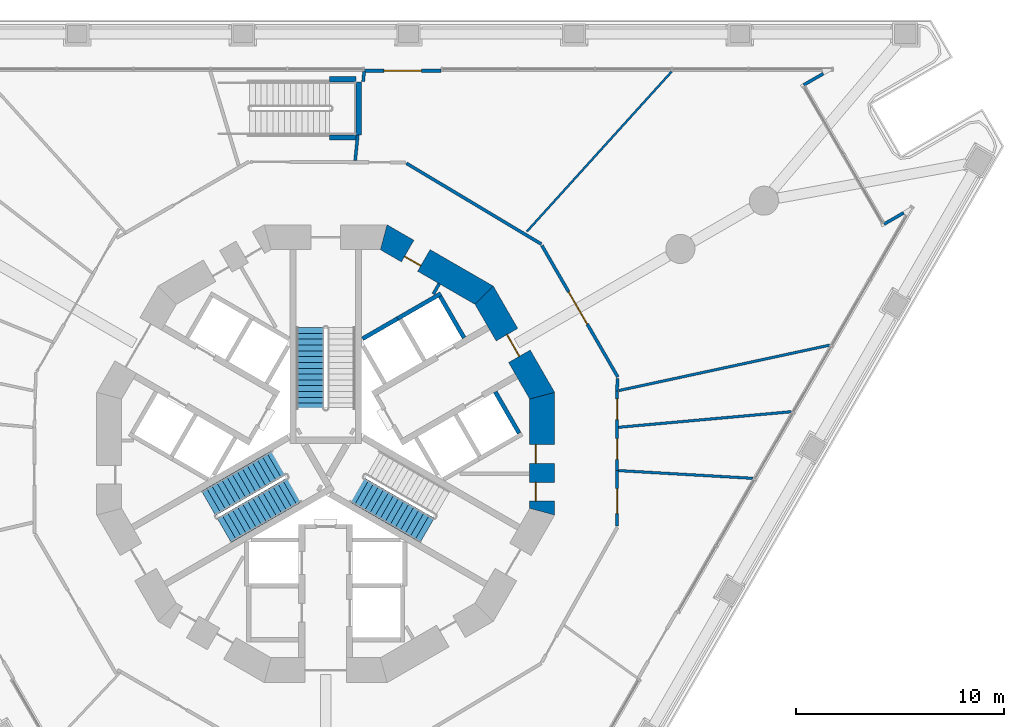
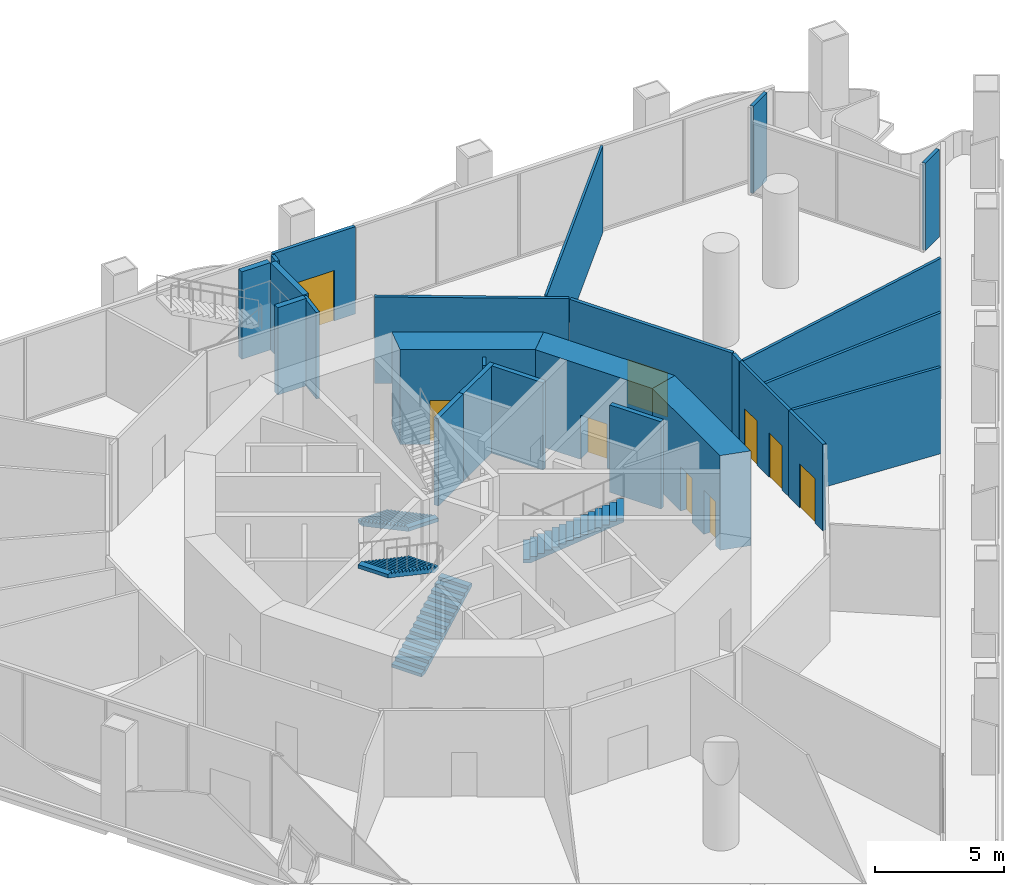
# One storey, part 13 of 22: 25 walls, 9 doors, 4 stair flights, 9 openings, 3 elements without a shape of their own.
"""IFC4 building model written with IfcOpenShell, lengths in metres."""

from ifc_helpers import new_model, si_unit, direction, frame, frame_2d, origin, place, context, subcontext, project, spatial, polyline, rectangle, outline, extrude, material, layer, layer_set, type_object, element, fill, aggregate, save


model = new_model("IFC4")

# Units and contexts
model_context = context("Model", 3, precision=1e-05, world=origin(), true_north=direction((0.0, 1.0)))
body_context = subcontext(model_context, "Body", "Model", "MODEL_VIEW")
ifc_project = project(units=[si_unit("LENGTHUNIT", "METRE"), si_unit("AREAUNIT", "SQUARE_METRE"), si_unit("VOLUMEUNIT", "CUBIC_METRE"), si_unit("PLANEANGLEUNIT", "RADIAN"), si_unit("MASSUNIT", "GRAM", prefix="KILO")], contexts=[model_context])

# Site, building, storey
site_placement = place(None, origin())
site = spatial("IfcSite", under=ifc_project, at=site_placement, CompositionType="ELEMENT")
building_placement = place(site_placement, origin())
building = spatial("IfcBuilding", under=site, at=building_placement, Name="Trine Commons Tower", CompositionType="ELEMENT")
storey_placement = place(building_placement, frame((0.0, 0.0, 22.5)))
storey = spatial("IfcBuildingStorey", under=building, at=storey_placement, Name="L04", CompositionType="ELEMENT", Elevation=22.5)

# Walls
ifc_material_1 = material(Name="Plasterboard on steel stud", Category="steel")
ifc_layer_1 = layer(ifc_material_1, 0.14990234375)
ifc_layer_set_1 = layer_set([ifc_layer_1], Name="Plasterboard on steel stud")
wall_type_1 = type_object("IfcWallType", Name="Compartment wall 150 mm, EI 60", PredefinedType="PARTITIONING", material=ifc_layer_set_1)
wall_1_placement = place(storey_placement, frame((81.418701171875, 76.60400390625, 0.0), z_axis=(0.0, 0.0, 1.0), x_axis=(0.100074962967, 0.994979900193, 0.0)))
element("IfcWall", 1, at=wall_1_placement, inside=storey, type_object=wall_type_1, Name="Partition P4023", PredefinedType="PARTITIONING", context=body_context, shape_type="SweptSolid", body=[
    extrude(rectangle(XDim=1.22705078125, YDim=0.14990234375, at=frame_2d((0.613525390625, 0.0))), origin(), (0.0, 0.0, 1.0), 4.10009765625),
])
wall_2_placement = place(storey_placement, frame((81.800048828125, 80.39501953125, 0.0), z_axis=(0.0, 0.0, 1.0), x_axis=(0.099749392044, 0.995012592276, 0.0)))
element("IfcWall", 2, at=wall_2_placement, inside=storey, type_object=wall_type_1, Name="Partition P4024", PredefinedType="PARTITIONING", context=body_context, shape_type="SweptSolid", body=[
    extrude(rectangle(XDim=0.491943359375, YDim=0.14990234375, at=frame_2d((0.24609375, 0.0))), origin(), (0.0, 0.0, 1.0), 4.10009765625),
])
wall_3_placement = place(storey_placement, frame((83.883056640625, 76.466552734375, 0.0), z_axis=(0.0, 0.0, 1.0), x_axis=(0.857959606998, -0.513717152488, 0.0)))
element("IfcWall", 3, at=wall_3_placement, inside=storey, type_object=wall_type_1, Name="Partition P4027", PredefinedType="PARTITIONING", context=body_context, shape_type="SweptSolid", body=[
    extrude(rectangle(XDim=7.564453125, YDim=0.14990234375, at=frame_2d((3.7822265625, 0.0))), origin(), (0.0, 0.0, 1.0), 4.10009765625),
])

# Wall, opening, door
wall_4_placement = place(storey_placement, frame((94.049072265625, 66.189453125, 0.0), z_axis=(0.0, 0.0, 1.0), x_axis=(-0.500000231294, 0.866025270247, 0.0)))
wall_4 = element("IfcWall", 4, at=wall_4_placement, inside=storey, type_object=wall_type_1, Name="Partition P4031", PredefinedType="PARTITIONING", context=body_context, shape_type="SweptSolid", body=[
    extrude(rectangle(XDim=7.3037109375, YDim=0.14990234375, at=frame_2d((3.65185546875, 0.0))), origin(), (0.0, 0.0, 1.0), 4.10009765625),
])
opening_1_placement = place(wall_4_placement, frame((2.929443359375, 0.0, 0.0)))
opening_1 = element("IfcOpeningElement", 5, at=opening_1_placement, cuts=wall_4, Name="Opening D-P414", PredefinedType="OPENING", context=body_context, shape_type="SweptSolid", body=[
    extrude(rectangle(XDim=1.800048828125, YDim=2.10009765625, at=frame_2d((0.89990234375, 1.050048828125))), frame((0.0, 0.0849609375, 0.0), z_axis=(0.0, -1.0, 0.0), x_axis=(1.0, 0.0, 0.0)), (0.0, 0.0, 1.0), 0.169921875),
])
ifc_material_2 = material(Name="Timber fire door set", Category="wood")
door_type_1 = type_object("IfcDoorType", Name="Double swing door 1800x2100, FD30S", OperationType="DOUBLE_DOOR_DOUBLE_SWING", PredefinedType="DOOR", material=ifc_material_2)
door_1_placement = place(opening_1_placement, origin())
door_1 = element("IfcDoor", 6, at=door_1_placement, inside=storey, type_object=door_type_1, Name="Door D-P414", OperationType="DOUBLE_DOOR_DOUBLE_SWING", OverallHeight=2.10009765625, OverallWidth=1.800048828125, PredefinedType="DOOR", context=body_context, shape_type="SweptSolid", body=[
    extrude(rectangle(XDim=1.800048828125, YDim=2.10009765625, at=frame_2d((0.89990234375, 1.050048828125))), frame((0.0, 0.02490234375, 0.0), z_axis=(0.0, -1.0, 0.0), x_axis=(1.0, 0.0, 0.0)), (0.0, 0.0, 1.0), 0.050048828125),
])
fill(opening_1, door_1)

wall_5_placement = place(storey_placement, frame((94.011474609375, 61.69287109375, 0.0), z_axis=(0.0, 0.0, 1.0), x_axis=(0.0, -1.0, 0.0)))
wall_5 = element("IfcWall", 7, at=wall_5_placement, inside=storey, type_object=wall_type_1, Name="Partition P4033", PredefinedType="PARTITIONING", context=body_context, shape_type="SweptSolid", body=[
    extrude(rectangle(XDim=2.667236328125, YDim=0.14990234375, at=frame_2d((1.33349609375, 0.0))), origin(), (0.0, 0.0, 1.0), 4.10009765625),
])
opening_2_placement = place(wall_5_placement, frame((0.87353515625, 0.0, 0.0)))
opening_2 = element("IfcOpeningElement", 8, at=opening_2_placement, cuts=wall_5, Name="Opening D-P415", PredefinedType="OPENING", context=body_context, shape_type="SweptSolid", body=[
    extrude(rectangle(XDim=1.199951171875, YDim=2.10009765625, at=frame_2d((0.60009765625, 1.050048828125))), frame((0.0, 0.0849609375, 0.0), z_axis=(0.0, -1.0, 0.0), x_axis=(1.0, 0.0, 0.0)), (0.0, 0.0, 1.0), 0.169921875),
])
door_type_2 = type_object("IfcDoorType", Name="Single swing door 1200x2100, FD30S", OperationType="SINGLE_SWING_LEFT", PredefinedType="DOOR", material=ifc_material_2)
door_2_placement = place(opening_2_placement, origin())
door_2 = element("IfcDoor", 9, at=door_2_placement, inside=storey, type_object=door_type_2, Name="Door D-P415", OperationType="SINGLE_SWING_LEFT", OverallHeight=2.10009765625, OverallWidth=1.199951171875, PredefinedType="DOOR", context=body_context, shape_type="SweptSolid", body=[
    extrude(rectangle(XDim=1.199951171875, YDim=2.10009765625, at=frame_2d((0.60009765625, 1.050048828125))), frame((0.0, 0.02490234375, 0.0), z_axis=(0.0, -1.0, 0.0), x_axis=(1.0, 0.0, 0.0)), (0.0, 0.0, 1.0), 0.050048828125),
])
fill(opening_2, door_2)

# Walls
wall_6_placement = place(storey_placement, frame((94.011474609375, 65.518310546875, 0.0), z_axis=(0.0, 0.0, 1.0), x_axis=(0.042540530373, 0.999094741892, 0.0)))
element("IfcWall", 10, at=wall_6_placement, inside=storey, type_object=wall_type_1, Name="Partition P4037", PredefinedType="PARTITIONING", context=body_context, shape_type="SweptSolid", body=[
    extrude(rectangle(XDim=0.6025390625, YDim=0.14990234375, at=frame_2d((0.30126953125, 0.0))), origin(), (0.0, 0.0, 1.0), 4.10009765625),
])
ifc_material_3 = material(Name="Plasterboard partition on steel studs", Category="steel")
ifc_layer_2 = layer(ifc_material_3, 0.14990234375)
ifc_layer_set_2 = layer_set([ifc_layer_2], Name="Plasterboard partition on steel studs")
wall_type_2 = type_object("IfcWallType", Name="Core room partition 150 mm, EI 60", PredefinedType="PARTITIONING", material=ifc_layer_set_2)
wall_7_placement = place(storey_placement, frame((85.4609375, 70.676025390625, 0.0), z_axis=(0.0, 0.0, 1.0), x_axis=(-0.500042804318, -0.866000689289, 0.0)))
element("IfcWall", 11, at=wall_7_placement, inside=storey, type_object=wall_type_2, Name="Core room partition L04", PredefinedType="PARTITIONING", context=body_context, shape_type="SweptSolid", body=[
    extrude(rectangle(XDim=0.57177734375, YDim=0.14990234375, at=frame_2d((0.285888671875, 0.0))), origin(), (0.0, 0.0, 1.0), 4.14990234375),
])

# Wall, opening, door
ifc_material_4 = material(Name="Aluminium-framed insulated wall panel", Category="aluminium")
ifc_layer_3 = layer(ifc_material_4, 0.14990234375)
ifc_layer_set_3 = layer_set([ifc_layer_3], Name="Aluminium-framed insulated wall panel")
wall_type_3 = type_object("IfcWallType", Name="Glazed entrance wall 150, EI 60", PredefinedType="SOLIDWALL", material=ifc_layer_set_3)
wall_8_placement = place(storey_placement, frame((81.84912109375, 80.919677734375, 0.0), z_axis=(0.0, 0.0, 1.0), x_axis=(1.0, 0.0, 0.0)))
wall_8 = element("IfcWall", 12, at=wall_8_placement, inside=storey, type_object=wall_type_3, Name="Glazed entrance wall L04 F1 8", PredefinedType="SOLIDWALL", context=body_context, shape_type="SweptSolid", body=[
    extrude(rectangle(XDim=3.698974609375, YDim=0.14990234375, at=frame_2d((1.849609375, 0.0))), origin(), (0.0, 0.0, 1.0), 4.14990234375),
])
opening_3_placement = place(wall_8_placement, frame((0.949462890625, 0.0, 0.0)))
opening_3 = element("IfcOpeningElement", 13, at=opening_3_placement, cuts=wall_8, Name="Opening SD-L04-F1-08", PredefinedType="OPENING", context=body_context, shape_type="SweptSolid", body=[
    extrude(rectangle(XDim=1.800048828125, YDim=2.39990234375, at=frame_2d((0.89990234375, 1.199951171875))), frame((0.0, 0.0849609375, 0.0), z_axis=(0.0, -1.0, 0.0), x_axis=(1.0, 0.0, 0.0)), (0.0, 0.0, 1.0), 0.169921875),
])
ifc_material_5 = material(Name="Anodised aluminium frame with double glazing", Category="aluminium")
door_type_3 = type_object("IfcDoorType", Name="Sliding double door 1800x2400", OperationType="DOUBLE_DOOR_SLIDING", PredefinedType="DOOR", material=ifc_material_5)
door_3_placement = place(opening_3_placement, origin())
door_3 = element("IfcDoor", 14, at=door_3_placement, inside=storey, type_object=door_type_3, Name="Loggia door L04 F1 8", OperationType="DOUBLE_DOOR_SLIDING", OverallHeight=2.39990234375, OverallWidth=1.800048828125, PredefinedType="DOOR", context=body_context, shape_type="SweptSolid", body=[
    extrude(rectangle(XDim=1.800048828125, YDim=2.39990234375, at=frame_2d((0.89990234375, 1.199951171875))), frame((0.0, 0.02490234375, 0.0), z_axis=(0.0, -1.0, 0.0), x_axis=(1.0, 0.0, 0.0)), (0.0, 0.0, 1.0), 0.050048828125),
])
fill(opening_3, door_3)

# Walls
ifc_layer_4 = layer(ifc_material_4, 0.14990234375)
ifc_layer_set_4 = layer_set([ifc_layer_4], Name="Aluminium-framed insulated wall panel")
wall_type_4 = type_object("IfcWallType", Name="Glazed frame wall 150, EI 60", PredefinedType="SOLIDWALL", material=ifc_layer_set_4)
wall_9_placement = place(storey_placement, frame((104.060546875, 80.854248046875, 0.0), z_axis=(0.0, 0.0, 1.0), x_axis=(-0.86606770004, -0.49992673358, 0.0)))
element("IfcWall", 15, at=wall_9_placement, inside=storey, type_object=wall_type_4, Name="Glazed frame wall L04 R5", PredefinedType="SOLIDWALL", context=body_context, shape_type="SweptSolid", body=[
    extrude(outline(polyline([(0.1494140625, 0.074951171875), (0.1494140625, -0.074951171875), (1.235107421875, -0.074951171875), (1.235107421875, 0.074951171875), (0.1494140625, 0.074951171875)])), origin(), (0.0, 0.0, 1.0), 4.14990234375),
])
wall_10_placement = place(storey_placement, frame((106.7607421875, 73.4873046875, 0.0), z_axis=(0.0, 0.0, 1.0), x_axis=(0.865989100438, 0.500062873969, 0.0)))
element("IfcWall", 16, at=wall_10_placement, inside=storey, type_object=wall_type_4, Name="Glazed frame wall L04 R7", PredefinedType="SOLIDWALL", context=body_context, shape_type="SweptSolid", body=[
    extrude(outline(polyline([(0.110107421875, 0.074951171875), (0.110107421875, -0.074951171875), (1.19580078125, -0.074951171875), (1.19580078125, 0.074951171875), (0.110107421875, 0.074951171875)])), origin(), (0.0, 0.0, 1.0), 4.14990234375),
])
ifc_layer_5 = layer(ifc_material_1, 0.10009765625)
ifc_layer_set_5 = layer_set([ifc_layer_5], Name="Plasterboard on steel stud")
wall_type_5 = type_object("IfcWallType", Name="Partition wall 100 mm stud, not rated", PredefinedType="PARTITIONING", material=ifc_layer_set_5)
wall_11_placement = place(storey_placement, frame((89.678466796875, 73.190185546875, 0.0), z_axis=(0.0, 0.0, 1.0), x_axis=(0.671165805165, 0.741307265563, 0.0)))
element("IfcWall", 17, at=wall_11_placement, inside=storey, type_object=wall_type_5, Name="Partition P4029", PredefinedType="PARTITIONING", context=body_context, shape_type="SweptSolid", body=[
    extrude(rectangle(XDim=10.37939453125, YDim=0.10009765625, at=frame_2d((5.189697265625, 0.0))), origin(), (0.0, 0.0, 1.0), 4.10009765625),
])

# Wall, openings, doors
ifc_material_6 = material(Name="Concrete C80/95", Category="concrete")
ifc_layer_6 = layer(ifc_material_6, 1.199951171875)
ifc_layer_set_6 = layer_set([ifc_layer_6], Name="Concrete C80/95")
wall_type_6 = type_object("IfcWallType", Name="RC shear wall 1200 mm, C80/95", PredefinedType="SHEAR", material=ifc_layer_set_6)
wall_12_placement = place(storey_placement, frame((90.41162109375, 59.549560546875, 0.0), z_axis=(0.0, 0.0, 1.0), x_axis=(0.0, 1.0, 0.0)))
wall_12 = element("IfcWall", 18, at=wall_12_placement, inside=storey, type_object=wall_type_6, Name="Core wall CWA-01 L04", PredefinedType="SHEAR", context=body_context, shape_type="SweptSolid", body=[
    extrude(outline(polyline([(0.0, -0.60009765625), (5.90087890625, -0.60009765625), (5.57958984375, 0.60009765625), (0.321533203125, 0.60009765625), (0.0, -0.60009765625)])), origin(), (0.0, 0.0, 1.0), 4.5),
])
opening_4_placement = place(wall_12_placement, frame((0.675537109375, 0.0, 0.0)))
opening_4 = element("IfcOpeningElement", 19, at=opening_4_placement, cuts=wall_12, Name="Opening K07.18", PredefinedType="OPENING", context=body_context, shape_type="SweptSolid", body=[
    extrude(rectangle(XDim=0.89990234375, YDim=2.10009765625, at=frame_2d((0.449951171875, 1.050048828125))), frame((0.0, 0.60986328125, 0.0), z_axis=(0.0, -1.0, 0.0), x_axis=(1.0, 0.0, 0.0)), (0.0, 0.0, 1.0), 1.219970703125),
])
opening_5_placement = place(wall_12_placement, frame((2.487548828125, 0.0, 0.0)))
opening_5 = element("IfcOpeningElement", 20, at=opening_5_placement, cuts=wall_12, Name="Opening K07.19", PredefinedType="OPENING", context=body_context, shape_type="SweptSolid", body=[
    extrude(rectangle(XDim=0.89990234375, YDim=2.10009765625, at=frame_2d((0.449951171875, 1.050048828125))), frame((0.0, 0.60986328125, 0.0), z_axis=(0.0, -1.0, 0.0), x_axis=(1.0, 0.0, 0.0)), (0.0, 0.0, 1.0), 1.219970703125),
])
ifc_material_7 = material(Name="Steel door leaf, fire-rated", Category="steel")
door_type_4 = type_object("IfcDoorType", Name="Core room door, single leaf 900 x 2100, FD30S", OperationType="SINGLE_SWING_LEFT", PredefinedType="DOOR", material=ifc_material_7)
door_4_placement = place(opening_4_placement, origin())
door_4 = element("IfcDoor", 21, at=door_4_placement, inside=storey, type_object=door_type_4, Name="Door to Parcel store L04", OperationType="SINGLE_SWING_LEFT", OverallHeight=2.10009765625, OverallWidth=0.89990234375, PredefinedType="DOOR", context=body_context, shape_type="SweptSolid", body=[
    extrude(rectangle(XDim=0.89990234375, YDim=2.10009765625, at=frame_2d((0.449951171875, 1.050048828125))), frame((0.0, 0.3251953125, 0.0), z_axis=(0.0, -1.0, 0.0), x_axis=(1.0, 0.0, 0.0)), (0.0, 0.0, 1.0), 0.050048828125),
])
fill(opening_4, door_4)
door_5_placement = place(opening_5_placement, origin())
door_5 = element("IfcDoor", 22, at=door_5_placement, inside=storey, type_object=door_type_4, Name="Door to Print room L04", OperationType="SINGLE_SWING_LEFT", OverallHeight=2.10009765625, OverallWidth=0.89990234375, PredefinedType="DOOR", context=body_context, shape_type="SweptSolid", body=[
    extrude(rectangle(XDim=0.89990234375, YDim=2.10009765625, at=frame_2d((0.449951171875, 1.050048828125))), frame((0.0, 0.3251953125, 0.0), z_axis=(0.0, -1.0, 0.0), x_axis=(1.0, 0.0, 0.0)), (0.0, 0.0, 1.0), 0.050048828125),
])
fill(opening_5, door_5)

# Wall, opening, door
wall_13_placement = place(storey_placement, frame((90.491943359375, 65.150390625, 0.0), z_axis=(0.0, 0.0, 1.0), x_axis=(-0.499979111662, 0.866037463336, 0.0)))
wall_13 = element("IfcWall", 23, at=wall_13_placement, inside=storey, type_object=wall_type_6, Name="Core wall CWA-02 L04", PredefinedType="SHEAR", context=body_context, shape_type="SweptSolid", body=[
    extrude(outline(polyline([(0.0, -0.60009765625), (5.901123046875, -0.60009765625), (5.57958984375, 0.60009765625), (0.321533203125, 0.60009765625), (0.0, -0.60009765625)])), origin(), (0.0, 0.0, 1.0), 4.5),
])
opening_6_placement = place(wall_13_placement, frame((2.3505859375, 0.0, 0.0)))
opening_6 = element("IfcOpeningElement", 24, at=opening_6_placement, cuts=wall_13, Name="Opening K07.04", PredefinedType="OPENING", context=body_context, shape_type="SweptSolid", body=[
    extrude(rectangle(XDim=1.199951171875, YDim=2.10009765625, at=frame_2d((0.60009765625, 1.050048828125))), frame((0.0, 0.60986328125, 0.0), z_axis=(0.0, -1.0, 0.0), x_axis=(1.0, 0.0, 0.0)), (0.0, 0.0, 1.0), 1.219970703125),
])
ifc_material_8 = material(Name="Steel door leaves, fire-rated", Category="steel")
door_type_5 = type_object("IfcDoorType", Name="Lobby door, double leaf 1200 x 2100, FD60", OperationType="DOUBLE_DOOR_SINGLE_SWING", PredefinedType="DOOR", material=ifc_material_8)
door_6_placement = place(opening_6_placement, origin())
door_6 = element("IfcDoor", 25, at=door_6_placement, inside=storey, type_object=door_type_5, Name="Lobby door, Passenger lift lobby A L04", OperationType="DOUBLE_DOOR_SINGLE_SWING", OverallHeight=2.10009765625, OverallWidth=1.199951171875, PredefinedType="DOOR", context=body_context, shape_type="SweptSolid", body=[
    extrude(rectangle(XDim=1.199951171875, YDim=2.10009765625, at=frame_2d((0.60009765625, 1.050048828125))), frame((0.0, 0.02490234375, 0.0), z_axis=(0.0, -1.0, 0.0), x_axis=(1.0, 0.0, 0.0)), (0.0, 0.0, 1.0), 0.050048828125),
])
fill(opening_6, door_6)

wall_14_placement = place(storey_placement, frame((87.760986328125, 70.04150390625, 0.0), z_axis=(0.0, 0.0, 1.0), x_axis=(-0.866037463336, 0.499979111662, 0.0)))
wall_14 = element("IfcWall", 26, at=wall_14_placement, inside=storey, type_object=wall_type_6, Name="Core wall CWA-03 L04", PredefinedType="SHEAR", context=body_context, shape_type="SweptSolid", body=[
    extrude(outline(polyline([(0.0, -0.60009765625), (5.901123046875, -0.60009765625), (5.57958984375, 0.60009765625), (0.321533203125, 0.60009765625), (0.0, -0.60009765625)])), origin(), (0.0, 0.0, 1.0), 4.5),
])
opening_7_placement = place(wall_14_placement, frame((3.509521484375, 0.0, 0.0)))
opening_7 = element("IfcOpeningElement", 27, at=opening_7_placement, cuts=wall_14, Name="Opening K07.11", PredefinedType="OPENING", context=body_context, shape_type="SweptSolid", body=[
    extrude(rectangle(XDim=0.89990234375, YDim=2.10009765625, at=frame_2d((0.449951171875, 1.050048828125))), frame((0.0, 0.60986328125, 0.0), z_axis=(0.0, -1.0, 0.0), x_axis=(1.0, 0.0, 0.0)), (0.0, 0.0, 1.0), 1.219970703125),
])
door_7_placement = place(opening_7_placement, origin())
door_7 = element("IfcDoor", 28, at=door_7_placement, inside=storey, type_object=door_type_4, Name="Door to Accessible WC L04", OperationType="SINGLE_SWING_RIGHT", OverallHeight=2.10009765625, OverallWidth=0.89990234375, PredefinedType="DOOR", context=body_context, shape_type="SweptSolid", body=[
    extrude(rectangle(XDim=0.89990234375, YDim=2.10009765625, at=frame_2d((0.449951171875, 1.050048828125))), frame((0.0, 0.3251953125, 0.0), z_axis=(0.0, -1.0, 0.0), x_axis=(1.0, 0.0, 0.0)), (0.0, 0.0, 1.0), 0.050048828125),
])
fill(opening_7, door_7)

# Walls
ifc_material_9 = material(Name="Fire-rated gypsum shaft wall system")
ifc_layer_7 = layer(ifc_material_9, 0.199951171875)
ifc_layer_set_7 = layer_set([ifc_layer_7], Name="Fire-rated gypsum shaft wall system")
wall_type_7 = type_object("IfcWallType", Name="Shaft wall 200 mm, EI 120", PredefinedType="PARTITIONING", material=ifc_layer_set_7)
wall_15_placement = place(storey_placement, frame((81.77490234375, 68.028076171875, 0.0), z_axis=(0.0, 0.0, 1.0), x_axis=(0.866052014814, 0.499953905513, 0.0)))
element("IfcWall", 29, at=wall_15_placement, inside=storey, type_object=wall_type_7, Name="Shaft wall L04", PredefinedType="PARTITIONING", context=body_context, shape_type="SweptSolid", body=[
    extrude(rectangle(XDim=1.947998046875, YDim=0.199951171875, at=frame_2d((0.97412109375, 0.0))), origin(), (0.0, 0.0, 1.0), 4.14990234375),
])
wall_16_placement = place(storey_placement, frame((83.4619140625, 69.001953125, 0.0), z_axis=(0.0, 0.0, 1.0), x_axis=(0.866202511239, 0.499693115345, 0.0)))
element("IfcWall", 30, at=wall_16_placement, inside=storey, type_object=wall_type_7, Name="Shaft wall L04", PredefinedType="PARTITIONING", context=body_context, shape_type="SweptSolid", body=[
    extrude(rectangle(XDim=2.4013671875, YDim=0.199951171875, at=frame_2d((1.20068359375, 0.0))), origin(), (0.0, 0.0, 1.0), 4.14990234375),
])
wall_17_placement = place(storey_placement, frame((86.655029296875, 68.073974609375, 0.0), z_axis=(0.0, 0.0, 1.0), x_axis=(-0.500215680983, 0.865900844496, 0.0)))
element("IfcWall", 31, at=wall_17_placement, inside=storey, type_object=wall_type_7, Name="Shaft wall L04", PredefinedType="PARTITIONING", context=body_context, shape_type="SweptSolid", body=[
    extrude(rectangle(XDim=2.29931640625, YDim=0.199951171875, at=frame_2d((1.149658203125, 0.0))), origin(), (0.0, 0.0, 1.0), 4.14990234375),
])
wall_18_placement = place(storey_placement, frame((88.155029296875, 65.47607421875, 0.0), z_axis=(0.0, 0.0, 1.0), x_axis=(0.500136062276, -0.86594683394, 0.0)))
element("IfcWall", 32, at=wall_18_placement, inside=storey, type_object=wall_type_7, Name="Shaft wall L04", PredefinedType="PARTITIONING", context=body_context, shape_type="SweptSolid", body=[
    extrude(rectangle(XDim=2.299072265625, YDim=0.199951171875, at=frame_2d((1.1494140625, 0.0))), origin(), (0.0, 0.0, 1.0), 4.14990234375),
])
ifc_material_10 = material(Name="Concrete C40/50", Category="concrete")
ifc_layer_8 = layer(ifc_material_10, 0.25)
ifc_layer_set_8 = layer_set([ifc_layer_8], Name="Concrete C40/50")
wall_type_8 = type_object("IfcWallType", Name="Stair landing wall 250 mm, concrete C40/50", PredefinedType="SOLIDWALL", material=ifc_layer_set_8)
wall_19_placement = place(storey_placement, frame((81.5849609375, 77.8349609375, 0.0), z_axis=(0.0, 0.0, 1.0), x_axis=(0.0, 1.0, 0.0)))
element("IfcWall", 33, at=wall_19_placement, inside=storey, type_object=wall_type_8, Name="L04 PS1 landing wall E", PredefinedType="SOLIDWALL", context=body_context, shape_type="SweptSolid", body=[
    extrude(rectangle(XDim=2.550048828125, YDim=0.25, at=frame_2d((1.27490234375, 0.0))), origin(), (0.0, 0.0, 1.0), 4.14990234375),
])
for number, where, z_axis, x_axis, name in (
    (34, (80.179931640625, 80.510009765625, 0.0), (0.0, 0.0, 1.0), (1.0, 0.0, 0.0), "L04 PS1 landing wall N"),
    (35, (80.179931640625, 77.7099609375, 0.0), (0.0, 0.0, 1.0), (1.0, 0.0, 0.0), "L04 PS1 landing wall S"),
):
    element("IfcWall", number, at=place(storey_placement, frame(where, z_axis=z_axis, x_axis=x_axis)), inside=storey, type_object=wall_type_8, Name=name, PredefinedType="SOLIDWALL", context=body_context, shape_type="SweptSolid", body=[
        extrude(rectangle(XDim=1.280029296875, YDim=0.25, at=frame_2d((0.64013671875, 0.0))), origin(), (0.0, 0.0, 1.0), 4.14990234375),
    ])

# Wall, openings, doors
ifc_layer_9 = layer(ifc_material_1, 0.125)
ifc_layer_set_9 = layer_set([ifc_layer_9], Name="Plasterboard on steel stud")
wall_type_9 = type_object("IfcWallType", Name="Wet wall 125 mm stud, not rated", PredefinedType="PARTITIONING", material=ifc_layer_set_9)
wall_20_placement = place(storey_placement, frame((94.011474609375, 65.518798828125, 0.0), z_axis=(0.0, 0.0, 1.0), x_axis=(0.0, -1.0, 0.0)))
wall_20 = element("IfcWall", 36, at=wall_20_placement, inside=storey, type_object=wall_type_9, Name="Partition P4034", PredefinedType="PARTITIONING", context=body_context, shape_type="SweptSolid", body=[
    extrude(rectangle(XDim=3.826171875, YDim=0.125, at=frame_2d((1.9130859375, 0.0))), origin(), (0.0, 0.0, 1.0), 4.10009765625),
])
opening_8_placement = place(wall_20_placement, frame((2.29052734375, 0.0, 0.0)))
opening_8 = element("IfcOpeningElement", 37, at=opening_8_placement, cuts=wall_20, Name="Opening D-P416", PredefinedType="OPENING", context=body_context, shape_type="SweptSolid", body=[
    extrude(rectangle(XDim=1.0, YDim=2.10009765625, at=frame_2d((0.5, 1.050048828125))), frame((0.0, 0.072509765625, 0.0), z_axis=(0.0, -1.0, 0.0), x_axis=(1.0, 0.0, 0.0)), (0.0, 0.0, 1.0), 0.14501953125),
])
opening_9_placement = place(wall_20_placement, frame((0.377685546875, 0.0, 0.0)))
opening_9 = element("IfcOpeningElement", 38, at=opening_9_placement, cuts=wall_20, Name="Opening D-P417", PredefinedType="OPENING", context=body_context, shape_type="SweptSolid", body=[
    extrude(rectangle(XDim=1.0, YDim=2.10009765625, at=frame_2d((0.5, 1.050048828125))), frame((0.0, 0.072509765625, 0.0), z_axis=(0.0, -1.0, 0.0), x_axis=(1.0, 0.0, 0.0)), (0.0, 0.0, 1.0), 0.14501953125),
])
ifc_material_11 = material(Name="Painted timber", Category="wood")
door_type_6 = type_object("IfcDoorType", Name="Single swing door 1000x2100, not rated", OperationType="SINGLE_SWING_LEFT", PredefinedType="DOOR", material=ifc_material_11)
door_8_placement = place(opening_8_placement, origin())
door_8 = element("IfcDoor", 39, at=door_8_placement, inside=storey, type_object=door_type_6, Name="Door D-P416", OperationType="SINGLE_SWING_LEFT", OverallHeight=2.10009765625, OverallWidth=1.0, PredefinedType="DOOR", context=body_context, shape_type="SweptSolid", body=[
    extrude(rectangle(XDim=1.0, YDim=2.10009765625, at=frame_2d((0.5, 1.050048828125))), frame((0.0, 0.02490234375, 0.0), z_axis=(0.0, -1.0, 0.0), x_axis=(1.0, 0.0, 0.0)), (0.0, 0.0, 1.0), 0.050048828125),
])
fill(opening_8, door_8)
door_9_placement = place(opening_9_placement, origin())
door_9 = element("IfcDoor", 40, at=door_9_placement, inside=storey, type_object=door_type_6, Name="Door D-P417", OperationType="SINGLE_SWING_LEFT", OverallHeight=2.10009765625, OverallWidth=1.0, PredefinedType="DOOR", context=body_context, shape_type="SweptSolid", body=[
    extrude(rectangle(XDim=1.0, YDim=2.10009765625, at=frame_2d((0.5, 1.050048828125))), frame((0.0, 0.02490234375, 0.0), z_axis=(0.0, -1.0, 0.0), x_axis=(1.0, 0.0, 0.0)), (0.0, 0.0, 1.0), 0.050048828125),
])
fill(opening_9, door_9)

# Walls
wall_21_placement = place(storey_placement, frame((94.090087890625, 61.688232421875, 0.0), z_axis=(0.0, 0.0, 1.0), x_axis=(0.998342946546, -0.057544427025, 0.0)))
element("IfcWall", 41, at=wall_21_placement, inside=storey, type_object=wall_type_9, Name="Partition P4035", PredefinedType="PARTITIONING", context=body_context, shape_type="SweptSolid", body=[
    extrude(rectangle(XDim=6.4658203125, YDim=0.125, at=frame_2d((3.23291015625, 0.0))), origin(), (0.0, 0.0, 1.0), 4.10009765625),
])
wall_22_placement = place(storey_placement, frame((94.07958984375, 63.769775390625, 0.0), z_axis=(0.0, 0.0, 1.0), x_axis=(0.995959570567, 0.089802749382, 0.0)))
element("IfcWall", 42, at=wall_22_placement, inside=storey, type_object=wall_type_9, Name="Partition P4036", PredefinedType="PARTITIONING", context=body_context, shape_type="SweptSolid", body=[
    extrude(rectangle(XDim=8.348876953125, YDim=0.125, at=frame_2d((4.17431640625, 0.0))), origin(), (0.0, 0.0, 1.0), 4.10009765625),
])
wall_23_placement = place(storey_placement, frame((94.099609375, 65.53759765625, 0.0), z_axis=(0.0, 0.0, 1.0), x_axis=(0.977575299068, 0.210586169185, 0.0)))
element("IfcWall", 43, at=wall_23_placement, inside=storey, type_object=wall_type_9, Name="Partition P4038", PredefinedType="PARTITIONING", context=body_context, shape_type="SweptSolid", body=[
    extrude(rectangle(XDim=10.377197265625, YDim=0.125, at=frame_2d((5.1884765625, 0.0))), origin(), (0.0, 0.0, 1.0), 4.10009765625),
])

# Stair, stair flight
ifc_material_12 = material(Name="Concrete C50/60", Category="concrete")
stair_type = type_object("IfcStairType", Name="Exit stair, dog-leg, 30 risers of 150 mm", PredefinedType="HALF_TURN_STAIR", material=ifc_material_12)
stair_1_placement = place(storey_placement, origin())
stair_1 = element("IfcStair", 44, at=stair_1_placement, inside=storey, type_object=stair_type, Name="L04 Exit stair ST1A", PredefinedType="HALF_TURN_STAIR")
stair_flight_type = type_object("IfcStairFlightType", Name="Stair flight, 1350 wide, 15 risers of 150 mm", PredefinedType="STRAIGHT", material=ifc_material_12)
stair_flight_1_placement = place(storey_placement, frame((79.25, 68.570556640625, 0.0), z_axis=(0.0, 0.0, 1.0), x_axis=(0.0, -1.0, 0.0)))
stair_flight_1 = element("IfcStairFlight", 45, at=stair_flight_1_placement, type_object=stair_flight_type, Name="ST1A flight 1", NumberOfRisers=15, NumberOfTreads=14, PredefinedType="STRAIGHT", RiserHeight=0.15, TreadLength=0.28, context=body_context, shape_type="SweptSolid", body=[
    extrude(outline(polyline([(0.0, 0.0), (0.0, 0.14990234375), (0.280029296875, 0.14990234375), (0.280029296875, 0.300048828125), (0.56005859375, 0.300048828125), (0.56005859375, 0.449951171875), (0.840087890625, 0.449951171875), (0.840087890625, 0.60009765625), (1.1201171875, 0.60009765625), (1.1201171875, 0.75), (1.39990234375, 0.75), (1.39990234375, 0.89990234375), (1.679931640625, 0.89990234375), (1.679931640625, 1.050048828125), (1.9599609375, 1.050048828125), (1.9599609375, 1.199951171875), (2.239990234375, 1.199951171875), (2.239990234375, 1.35009765625), (2.52001953125, 1.35009765625), (2.52001953125, 1.5), (2.800048828125, 1.5), (2.800048828125, 1.64990234375), (3.080078125, 1.64990234375), (3.080078125, 1.800048828125), (3.360107421875, 1.800048828125), (3.360107421875, 1.949951171875), (3.639892578125, 1.949951171875), (3.639892578125, 2.10009765625), (3.919921875, 2.10009765625), (3.919921875, 2.25), (3.919921875, 1.929931640625), (0.3173828125, 0.0), (0.0, 0.0)])), frame((0.0, 0.675048828125, 0.0), z_axis=(0.0, -1.0, 0.0), x_axis=(1.0, 0.0, 0.0)), (0.0, 0.0, 1.0), 1.35009765625),
])
aggregate(stair_1, [stair_flight_1])

# Stair, stair flights
stair_2_placement = place(storey_placement, origin())
stair_2 = element("IfcStair", 46, at=stair_2_placement, inside=storey, type_object=stair_type, Name="L04 Exit stair ST2A", PredefinedType="HALF_TURN_STAIR")
stair_flight_2_placement = place(storey_placement, frame((75.11767578125, 58.815185546875, 0.0), z_axis=(0.0, 0.0, 1.0), x_axis=(0.866025403784, 0.5, 0.0)))
stair_flight_2 = element("IfcStairFlight", 47, at=stair_flight_2_placement, type_object=stair_flight_type, Name="ST2A flight 1", NumberOfRisers=15, NumberOfTreads=14, PredefinedType="STRAIGHT", RiserHeight=0.15, TreadLength=0.28, context=body_context, shape_type="SweptSolid", body=[
    extrude(outline(polyline([(0.0, 0.0), (0.0, 0.14990234375), (0.280029296875, 0.14990234375), (0.280029296875, 0.300048828125), (0.56005859375, 0.300048828125), (0.56005859375, 0.449951171875), (0.840087890625, 0.449951171875), (0.840087890625, 0.60009765625), (1.1201171875, 0.60009765625), (1.1201171875, 0.75), (1.39990234375, 0.75), (1.39990234375, 0.89990234375), (1.679931640625, 0.89990234375), (1.679931640625, 1.050048828125), (1.9599609375, 1.050048828125), (1.9599609375, 1.199951171875), (2.239990234375, 1.199951171875), (2.239990234375, 1.35009765625), (2.52001953125, 1.35009765625), (2.52001953125, 1.5), (2.800048828125, 1.5), (2.800048828125, 1.64990234375), (3.080078125, 1.64990234375), (3.080078125, 1.800048828125), (3.360107421875, 1.800048828125), (3.360107421875, 1.949951171875), (3.639892578125, 1.949951171875), (3.639892578125, 2.10009765625), (3.919921875, 2.10009765625), (3.919921875, 2.25), (3.919921875, 1.929931640625), (0.3173828125, 0.0), (0.0, 0.0)])), frame((0.0, 0.675048828125, 0.0), z_axis=(0.0, -1.0, 0.0), x_axis=(1.0, 0.0, 0.0)), (0.0, 0.0, 1.0), 1.35009765625),
])
stair_flight_3_placement = place(storey_placement, frame((77.762451171875, 62.07421875, 2.25), z_axis=(0.0, 0.0, 1.0), x_axis=(-0.866025403784, -0.5, 0.0)))
stair_flight_3 = element("IfcStairFlight", 48, at=stair_flight_3_placement, type_object=stair_flight_type, Name="ST2A flight 2", NumberOfRisers=15, NumberOfTreads=14, PredefinedType="STRAIGHT", RiserHeight=0.15, TreadLength=0.28, context=body_context, shape_type="SweptSolid", body=[
    extrude(outline(polyline([(0.0, 0.0), (0.0, 0.14990234375), (0.280029296875, 0.14990234375), (0.280029296875, 0.300048828125), (0.56005859375, 0.300048828125), (0.56005859375, 0.449951171875), (0.840087890625, 0.449951171875), (0.840087890625, 0.60009765625), (1.1201171875, 0.60009765625), (1.1201171875, 0.75), (1.39990234375, 0.75), (1.39990234375, 0.89990234375), (1.679931640625, 0.89990234375), (1.679931640625, 1.050048828125), (1.9599609375, 1.050048828125), (1.9599609375, 1.199951171875), (2.239990234375, 1.199951171875), (2.239990234375, 1.35009765625), (2.52001953125, 1.35009765625), (2.52001953125, 1.5), (2.800048828125, 1.5), (2.800048828125, 1.64990234375), (3.080078125, 1.64990234375), (3.080078125, 1.800048828125), (3.360107421875, 1.800048828125), (3.360107421875, 1.949951171875), (3.639892578125, 1.949951171875), (3.639892578125, 2.10009765625), (3.919921875, 2.10009765625), (3.919921875, 2.25), (3.919921875, 1.929931640625), (0.3173828125, 0.0), (0.0, 0.0)])), frame((0.0, 0.675048828125, 0.0), z_axis=(0.0, -1.0, 0.0), x_axis=(1.0, 0.0, 0.0)), (0.0, 0.0, 1.0), 1.35009765625),
])
aggregate(stair_2, [stair_flight_2, stair_flight_3])

# Stair, stair flight
stair_3_placement = place(storey_placement, origin())
stair_3 = element("IfcStair", 49, at=stair_3_placement, inside=storey, type_object=stair_type, Name="L04 Exit stair ST3A", PredefinedType="HALF_TURN_STAIR")
stair_flight_4_placement = place(storey_placement, frame((81.487548828125, 60.775146484375, 2.25), z_axis=(0.0, 0.0, 1.0), x_axis=(0.866025403784, -0.5, 0.0)))
stair_flight_4 = element("IfcStairFlight", 50, at=stair_flight_4_placement, type_object=stair_flight_type, Name="ST3A flight 2", NumberOfRisers=15, NumberOfTreads=14, PredefinedType="STRAIGHT", RiserHeight=0.15, TreadLength=0.28, context=body_context, shape_type="SweptSolid", body=[
    extrude(outline(polyline([(0.0, 0.0), (0.0, 0.14990234375), (0.280029296875, 0.14990234375), (0.280029296875, 0.300048828125), (0.56005859375, 0.300048828125), (0.56005859375, 0.449951171875), (0.840087890625, 0.449951171875), (0.840087890625, 0.60009765625), (1.1201171875, 0.60009765625), (1.1201171875, 0.75), (1.39990234375, 0.75), (1.39990234375, 0.89990234375), (1.679931640625, 0.89990234375), (1.679931640625, 1.050048828125), (1.9599609375, 1.050048828125), (1.9599609375, 1.199951171875), (2.239990234375, 1.199951171875), (2.239990234375, 1.35009765625), (2.52001953125, 1.35009765625), (2.52001953125, 1.5), (2.800048828125, 1.5), (2.800048828125, 1.64990234375), (3.080078125, 1.64990234375), (3.080078125, 1.800048828125), (3.360107421875, 1.800048828125), (3.360107421875, 1.949951171875), (3.639892578125, 1.949951171875), (3.639892578125, 2.10009765625), (3.919921875, 2.10009765625), (3.919921875, 2.25), (3.919921875, 1.929931640625), (0.3173828125, 0.0), (0.0, 0.0)])), frame((0.0, 0.675048828125, 0.0), z_axis=(0.0, -1.0, 0.0), x_axis=(1.0, 0.0, 0.0)), (0.0, 0.0, 1.0), 1.35009765625),
])
aggregate(stair_3, [stair_flight_4])

save(model, "model.ifc")
